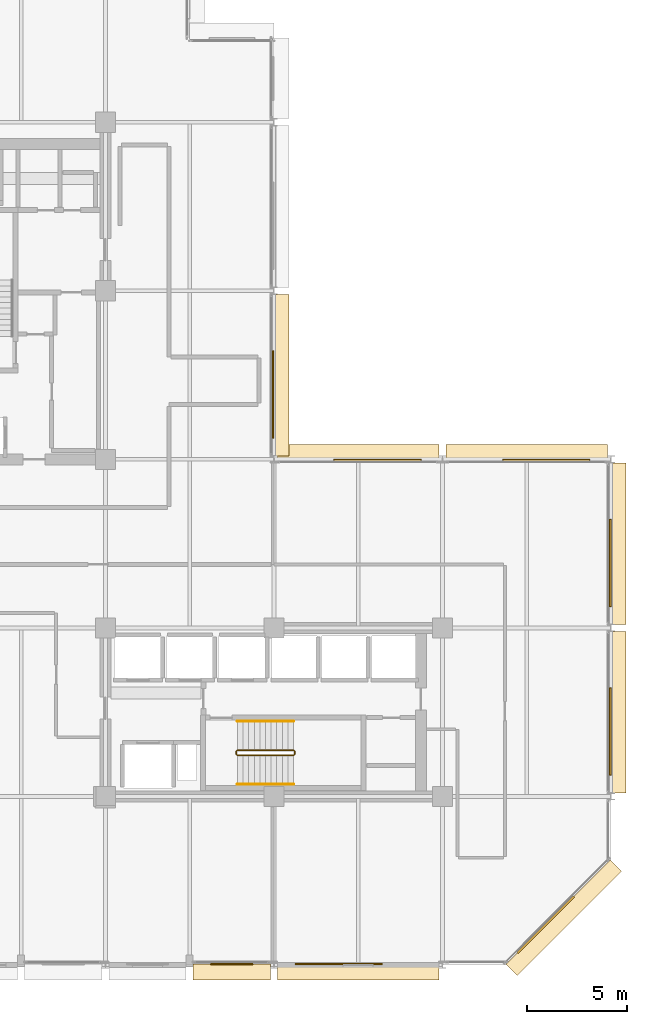
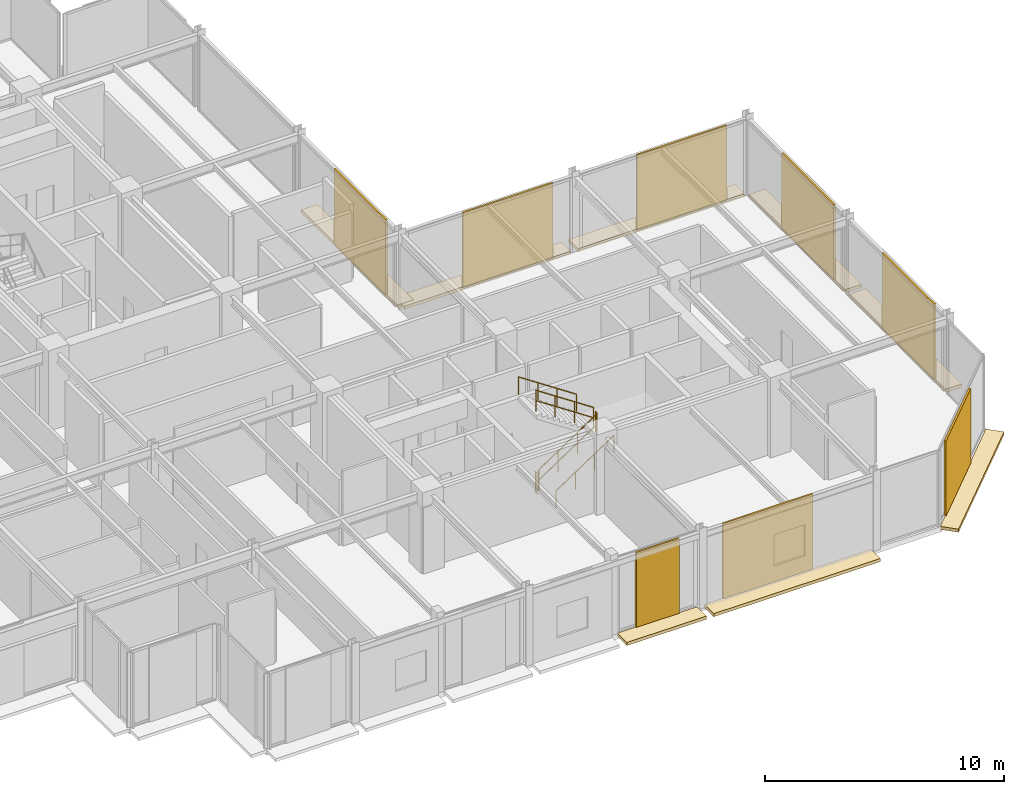
# One storey, part 28 of 29: 16 coverings, 6 railings.
"""IFC4 building model written with IfcOpenShell, lengths in metres."""

from ifc_helpers import new_model, si_unit, direction, frame, origin, origin_2d, place, context, subcontext, project, spatial, polyline, rectangle, circle, outline, extrude, material, layer, layer_set, type_object, element, save


model = new_model("IFC4")

# Units and contexts
model_context = context("Model", 3, precision=1e-05, world=origin(), true_north=direction((0.0, 1.0)))
body_context = subcontext(model_context, "Body", "Model", "MODEL_VIEW")
ifc_project = project(units=[si_unit("LENGTHUNIT", "METRE"), si_unit("AREAUNIT", "SQUARE_METRE"), si_unit("VOLUMEUNIT", "CUBIC_METRE"), si_unit("PLANEANGLEUNIT", "RADIAN"), si_unit("MASSUNIT", "GRAM", prefix="KILO")], contexts=[model_context])

# Site, building, storey
site_placement = place(None, origin())
site = spatial("IfcSite", under=ifc_project, at=site_placement, CompositionType="ELEMENT")
building_placement = place(site_placement, origin())
building = spatial("IfcBuilding", under=site, at=building_placement, Name="Nerrivon Quay Data Exchange", CompositionType="ELEMENT")
storey_placement = place(building_placement, frame((0.0, 0.0, 191.89990234375)))
storey = spatial("IfcBuildingStorey", under=building, at=storey_placement, Name="L45", CompositionType="ELEMENT", Elevation=191.89990234375)

# Coverings
ifc_material_1 = material(Name="Architectural terracotta ceramic", Category="masonry")
ifc_layer_1 = layer(ifc_material_1, 0.159912109375)
ifc_layer_set_1 = layer_set([ifc_layer_1], Name="Architectural terracotta ceramic")
covering_type_1 = type_object("IfcCoveringType", Name="COV-BLD-TERR", PredefinedType="CLADDING", material=ifc_layer_set_1)
covering_1_placement = place(storey_placement, frame((0.0, 0.0, -0.159912109375)))
element("IfcCovering", 1, at=covering_1_placement, inside=storey, type_object=covering_type_1, Name="L45 Horizontal Terracotta SOLAR SCREEN Blade", PredefinedType="CLADDING", context=body_context, shape_type="SweptSolid", body=[
    extrude(outline(polyline([(25.159912109375, 33.425048828125), (25.159912109375, 25.375), (25.949951171875, 25.375), (25.949951171875, 33.425048828125), (25.159912109375, 33.425048828125)])), origin(), (0.0, 0.0, 1.0), 0.159912109375),
])
covering_2_placement = place(storey_placement, frame((0.0, 0.0, -0.159912109375)))
element("IfcCovering", 2, at=covering_2_placement, inside=storey, type_object=covering_type_1, Name="L45 Horizontal Terracotta SOLAR SCREEN Blade", PredefinedType="CLADDING", context=body_context, shape_type="SweptSolid", body=[
    extrude(outline(polyline([(25.375, 25.159912109375), (33.425048828125, 25.159912109375), (33.425048828125, 25.949951171875), (25.375, 25.949951171875), (25.375, 25.159912109375)])), origin(), (0.0, 0.0, 1.0), 0.159912109375),
])
covering_3_placement = place(storey_placement, frame((0.0, 0.0, -0.159912109375)))
element("IfcCovering", 3, at=covering_3_placement, inside=storey, type_object=covering_type_1, Name="L45 Horizontal Terracotta SOLAR SCREEN Blade", PredefinedType="CLADDING", context=body_context, shape_type="SweptSolid", body=[
    extrude(outline(polyline([(33.77490234375, 25.159912109375), (41.824951171875, 25.159912109375), (41.824951171875, 25.949951171875), (33.77490234375, 25.949951171875), (33.77490234375, 25.159912109375)])), origin(), (0.0, 0.0, 1.0), 0.159912109375),
])
covering_4_placement = place(storey_placement, frame((0.0, 0.0, -0.159912109375)))
element("IfcCovering", 4, at=covering_4_placement, inside=storey, type_object=covering_type_1, Name="L45 Horizontal Terracotta SOLAR SCREEN Blade", PredefinedType="CLADDING", context=body_context, shape_type="SweptSolid", body=[
    extrude(outline(polyline([(41.9599609375, 25.02490234375), (41.9599609375, 16.97509765625), (42.75, 16.97509765625), (42.75, 25.02490234375), (41.9599609375, 25.02490234375)])), origin(), (0.0, 0.0, 1.0), 0.159912109375),
])
covering_5_placement = place(storey_placement, frame((0.0, 0.0, -0.159912109375)))
element("IfcCovering", 5, at=covering_5_placement, inside=storey, type_object=covering_type_1, Name="L45 Horizontal Terracotta SOLAR SCREEN Blade", PredefinedType="CLADDING", context=body_context, shape_type="SweptSolid", body=[
    extrude(outline(polyline([(41.9599609375, 16.625), (41.9599609375, 8.574951171875), (42.75, 8.574951171875), (42.75, 16.625), (41.9599609375, 16.625)])), origin(), (0.0, 0.0, 1.0), 0.159912109375),
])
covering_6_placement = place(storey_placement, frame((0.0, 0.0, -0.159912109375)))
element("IfcCovering", 6, at=covering_6_placement, inside=storey, type_object=covering_type_1, Name="L45 Horizontal Terracotta SOLAR SCREEN Blade", PredefinedType="CLADDING", context=body_context, shape_type="SweptSolid", body=[
    extrude(outline(polyline([(41.9716796875, 5.228271484375), (36.771728515625, 0.0283203125), (37.330322265625, -0.5302734375), (42.5302734375, 4.669677734375), (41.9716796875, 5.228271484375)])), origin(), (0.0, 0.0, 1.0), 0.159912109375),
])
covering_7_placement = place(storey_placement, frame((0.0, 0.0, -0.159912109375)))
element("IfcCovering", 7, at=covering_7_placement, inside=storey, type_object=covering_type_1, Name="L45 Horizontal Terracotta SOLAR SCREEN Blade", PredefinedType="CLADDING", context=body_context, shape_type="SweptSolid", body=[
    extrude(outline(polyline([(33.425048828125, 0.0400390625), (25.375, 0.0400390625), (25.375, -0.75), (33.425048828125, -0.75), (33.425048828125, 0.0400390625)])), origin(), (0.0, 0.0, 1.0), 0.159912109375),
])
covering_8_placement = place(storey_placement, frame((0.0, 0.0, -0.159912109375)))
element("IfcCovering", 8, at=covering_8_placement, inside=storey, type_object=covering_type_1, Name="L45 Horizontal Terracotta SOLAR SCREEN Blade", PredefinedType="CLADDING", context=body_context, shape_type="SweptSolid", body=[
    extrude(outline(polyline([(25.02490234375, 0.0400390625), (21.175048828125, 0.0400390625), (21.175048828125, -0.75), (25.02490234375, -0.75), (25.02490234375, 0.0400390625)])), origin(), (0.0, 0.0, 1.0), 0.159912109375),
])
ifc_layer_2 = layer(ifc_material_1, 0.090087890625)
ifc_layer_set_2 = layer_set([ifc_layer_2], Name="Architectural terracotta ceramic")
covering_type_2 = type_object("IfcCoveringType", Name="COV-SCR-TERR", PredefinedType="CLADDING", material=ifc_layer_set_2)
for number, where, z_axis, x_axis, name in (
    (9, (25.155029296875, 28.43408203125, 0.0), (0.0, 0.0, 1.0), (0.0, -1.0, 0.0), "L45 Perforated Terracotta SOLAR SCREEN Cassette"),
    (10, (30.365966796875, 25.155029296875, 0.0), (0.0, 0.0, 1.0), (1.0, 0.0, 0.0), "L45 Perforated Terracotta SOLAR SCREEN Cassette"),
    (11, (38.76611328125, 25.155029296875, 0.0), (0.0, 0.0, 1.0), (1.0, 0.0, 0.0), "L45 Perforated Terracotta SOLAR SCREEN Cassette"),
    (12, (41.955078125, 20.033935546875, 0.0), (0.0, 0.0, 1.0), (0.0, -1.0, 0.0), "L45 Perforated Terracotta SOLAR SCREEN Cassette"),
    (13, (41.955078125, 11.634033203125, 0.0), (0.0, 0.0, 1.0), (0.0, -1.0, 0.0), "L45 Perforated Terracotta SOLAR SCREEN Cassette"),
):
    element("IfcCovering", number, at=place(storey_placement, frame(where, z_axis=z_axis, x_axis=x_axis)), inside=storey, type_object=covering_type_2, Name=name, PredefinedType="CLADDING", context=body_context, shape_type="SweptSolid", body=[
        extrude(rectangle(XDim=4.346923828125, YDim=0.090087890625, at=origin_2d()), origin(), (0.0, 0.0, 1.0), 3.824951171875),
    ])
covering_9_placement = place(storey_placement, frame((38.744140625, 2.0078125, 0.0), z_axis=(0.0, 0.0, 1.0), x_axis=(-0.707106781187, -0.707106781187, 0.0)))
element("IfcCovering", 14, at=covering_9_placement, inside=storey, type_object=covering_type_2, Name="L45 Perforated Terracotta SOLAR SCREEN Cassette", PredefinedType="CLADDING", context=body_context, shape_type="SweptSolid", body=[
    extrude(rectangle(XDim=3.970947265625, YDim=0.090087890625, at=origin_2d()), origin(), (0.0, 0.0, 1.0), 3.824951171875),
])
covering_10_placement = place(storey_placement, frame((28.43408203125, 0.044921875, 0.0), z_axis=(0.0, 0.0, 1.0), x_axis=(-1.0, 0.0, 0.0)))
element("IfcCovering", 15, at=covering_10_placement, inside=storey, type_object=covering_type_2, Name="L45 Perforated Terracotta SOLAR SCREEN Cassette", PredefinedType="CLADDING", context=body_context, shape_type="SweptSolid", body=[
    extrude(rectangle(XDim=4.346923828125, YDim=0.090087890625, at=origin_2d()), origin(), (0.0, 0.0, 1.0), 3.824951171875),
])
covering_11_placement = place(storey_placement, frame((23.10009765625, 0.044921875, 0.0), z_axis=(0.0, 0.0, 1.0), x_axis=(-1.0, 0.0, 0.0)))
element("IfcCovering", 16, at=covering_11_placement, inside=storey, type_object=covering_type_2, Name="L45 Perforated Terracotta SOLAR SCREEN Cassette", PredefinedType="CLADDING", context=body_context, shape_type="SweptSolid", body=[
    extrude(rectangle(XDim=2.0791015625, YDim=0.090087890625, at=origin_2d()), origin(), (0.0, 0.0, 1.0), 3.824951171875),
])

# Railings
ifc_material_2 = material(Name="Steel Grade C350L0 (350 MPa)", Category="steel")
railing_type_1 = type_object("IfcRailingType", Name="RAIL-HAND-HR1", PredefinedType="HANDRAIL", material=ifc_material_2)
railing_1_placement = place(storey_placement, frame((23.3798828125, 9.0, 0.1865234375)))
element("IfcRailing", 17, at=railing_1_placement, inside=storey, type_object=railing_type_1, Name="L45 ST02 stair handrail 1", PredefinedType="HANDRAIL", context=body_context, shape_type="SweptSolid", body=[
    extrude(circle(Radius=0.02392578125, at=origin_2d()), frame((0.0, 0.0, 0.8759765625), z_axis=(0.832485552168, 0.0, 0.554046753832), x_axis=(0.0, 1.0, 0.0)), (0.0, 0.0, 1.0), 3.363525390625),
    extrude(circle(Radius=0.02099609375, at=origin_2d()), origin(), (0.0, 0.0, 1.0), 0.851806640625),
    extrude(circle(Radius=0.02099609375, at=origin_2d()), frame((0.933349609375, 0.0, 0.62109375)), (0.0, 0.0, 1.0), 0.851806640625),
    extrude(circle(Radius=0.02099609375, at=origin_2d()), frame((1.86669921875, 0.0, 1.242431640625)), (0.0, 0.0, 1.0), 0.851806640625),
    extrude(circle(Radius=0.02099609375, at=origin_2d()), frame((2.800048828125, 0.0, 1.863525390625)), (0.0, 0.0, 1.0), 0.851806640625),
])
railing_2_placement = place(storey_placement, frame((26.179931640625, 12.14990234375, 2.236572265625)))
element("IfcRailing", 18, at=railing_2_placement, inside=storey, type_object=railing_type_1, Name="L45 ST02 stair handrail 2", PredefinedType="HANDRAIL", context=body_context, shape_type="SweptSolid", body=[
    extrude(circle(Radius=0.02392578125, at=origin_2d()), frame((0.0, 0.0, 0.8759765625), z_axis=(-0.832485552168, 0.0, 0.554046753832), x_axis=(0.0, -1.0, 0.0)), (0.0, 0.0, 1.0), 3.363525390625),
    extrude(circle(Radius=0.02099609375, at=origin_2d()), origin(), (0.0, 0.0, 1.0), 0.851806640625),
    extrude(circle(Radius=0.02099609375, at=origin_2d()), frame((-0.933349609375, 0.0, 0.62109375)), (0.0, 0.0, 1.0), 0.851806640625),
    extrude(circle(Radius=0.02099609375, at=origin_2d()), frame((-1.86669921875, 0.0, 1.242431640625)), (0.0, 0.0, 1.0), 0.851806640625),
    extrude(circle(Radius=0.02099609375, at=origin_2d()), frame((-2.800048828125, 0.0, 1.863525390625)), (0.0, 0.0, 1.0), 0.851806640625),
])
railing_type_2 = type_object("IfcRailingType", Name="RAIL-STAIR-GR1", PredefinedType="BALUSTRADE", material=ifc_material_2)
railing_3_placement = place(storey_placement, frame((23.3798828125, 10.449951171875, 0.1865234375)))
element("IfcRailing", 19, at=railing_3_placement, inside=storey, type_object=railing_type_2, Name="L45 ST02 stair guard 1", PredefinedType="BALUSTRADE", context=body_context, shape_type="SweptSolid", body=[
    extrude(circle(Radius=0.02392578125, at=origin_2d()), frame((0.0, 0.0, 1.076171875), z_axis=(0.832485552168, 0.0, 0.554046753832), x_axis=(0.0, 1.0, 0.0)), (0.0, 0.0, 1.0), 3.363525390625),
    extrude(circle(Radius=0.02392578125, at=origin_2d()), frame((0.0, 0.0, 0.550048828125), z_axis=(0.832485552168, 0.0, 0.554046753832), x_axis=(0.0, 1.0, 0.0)), (0.0, 0.0, 1.0), 3.363525390625),
    extrude(circle(Radius=0.02099609375, at=origin_2d()), origin(), (0.0, 0.0, 1.0), 1.052001953125),
    extrude(circle(Radius=0.02099609375, at=origin_2d()), frame((0.933349609375, 0.0, 0.62109375)), (0.0, 0.0, 1.0), 1.052001953125),
    extrude(circle(Radius=0.02099609375, at=origin_2d()), frame((1.86669921875, 0.0, 1.242431640625)), (0.0, 0.0, 1.0), 1.052001953125),
    extrude(circle(Radius=0.02099609375, at=origin_2d()), frame((2.800048828125, 0.0, 1.863525390625)), (0.0, 0.0, 1.0), 1.052001953125),
])
railing_4_placement = place(storey_placement, frame((26.22998046875, 10.5, 2.050048828125)))
element("IfcRailing", 20, at=railing_4_placement, inside=storey, type_object=railing_type_2, Name="L45 ST02 stair guard 2", PredefinedType="BALUSTRADE", context=body_context, shape_type="SweptSolid", body=[
    extrude(circle(Radius=0.02392578125, at=origin_2d()), frame((0.0, 0.0, 1.076171875), z_axis=(0.0, 1.0, 0.0), x_axis=(-1.0, 0.0, 0.0)), (0.0, 0.0, 1.0), 0.14990234375),
    extrude(circle(Radius=0.02392578125, at=origin_2d()), frame((0.0, 0.0, 0.550048828125), z_axis=(0.0, 1.0, 0.0), x_axis=(-1.0, 0.0, 0.0)), (0.0, 0.0, 1.0), 0.14990234375),
    extrude(circle(Radius=0.02099609375, at=origin_2d()), origin(), (0.0, 0.0, 1.0), 1.052001953125),
    extrude(circle(Radius=0.02099609375, at=origin_2d()), frame((0.0, 0.14990234375, 0.0)), (0.0, 0.0, 1.0), 1.052001953125),
])
railing_5_placement = place(storey_placement, frame((26.179931640625, 10.699951171875, 2.236572265625)))
element("IfcRailing", 21, at=railing_5_placement, inside=storey, type_object=railing_type_2, Name="L45 ST02 stair guard 3", PredefinedType="BALUSTRADE", context=body_context, shape_type="SweptSolid", body=[
    extrude(circle(Radius=0.02392578125, at=origin_2d()), frame((0.0, 0.0, 1.076171875), z_axis=(-0.832485552168, 0.0, 0.554046753832), x_axis=(0.0, -1.0, 0.0)), (0.0, 0.0, 1.0), 3.363525390625),
    extrude(circle(Radius=0.02392578125, at=origin_2d()), frame((0.0, 0.0, 0.550048828125), z_axis=(-0.832485552168, 0.0, 0.554046753832), x_axis=(0.0, -1.0, 0.0)), (0.0, 0.0, 1.0), 3.363525390625),
    extrude(circle(Radius=0.02099609375, at=origin_2d()), origin(), (0.0, 0.0, 1.0), 1.052001953125),
    extrude(circle(Radius=0.02099609375, at=origin_2d()), frame((-0.933349609375, 0.0, 0.62109375)), (0.0, 0.0, 1.0), 1.052001953125),
    extrude(circle(Radius=0.02099609375, at=origin_2d()), frame((-1.86669921875, 0.0, 1.242431640625)), (0.0, 0.0, 1.0), 1.052001953125),
    extrude(circle(Radius=0.02099609375, at=origin_2d()), frame((-2.800048828125, 0.0, 1.863525390625)), (0.0, 0.0, 1.0), 1.052001953125),
])
railing_6_placement = place(storey_placement, frame((23.330078125, 10.5, 0.0)))
element("IfcRailing", 22, at=railing_6_placement, inside=storey, type_object=railing_type_2, Name="L45 ST02 stair guard 4", PredefinedType="BALUSTRADE", context=body_context, shape_type="SweptSolid", body=[
    extrude(circle(Radius=0.02392578125, at=origin_2d()), frame((0.0, 0.0, 1.076171875), z_axis=(0.0, 1.0, 0.0), x_axis=(-1.0, 0.0, 0.0)), (0.0, 0.0, 1.0), 0.14990234375),
    extrude(circle(Radius=0.02392578125, at=origin_2d()), frame((0.0, 0.0, 0.550048828125), z_axis=(0.0, 1.0, 0.0), x_axis=(-1.0, 0.0, 0.0)), (0.0, 0.0, 1.0), 0.14990234375),
    extrude(circle(Radius=0.02099609375, at=origin_2d()), origin(), (0.0, 0.0, 1.0), 1.052001953125),
    extrude(circle(Radius=0.02099609375, at=origin_2d()), frame((0.0, 0.14990234375, 0.0)), (0.0, 0.0, 1.0), 1.052001953125),
])

save(model, "model.ifc")
